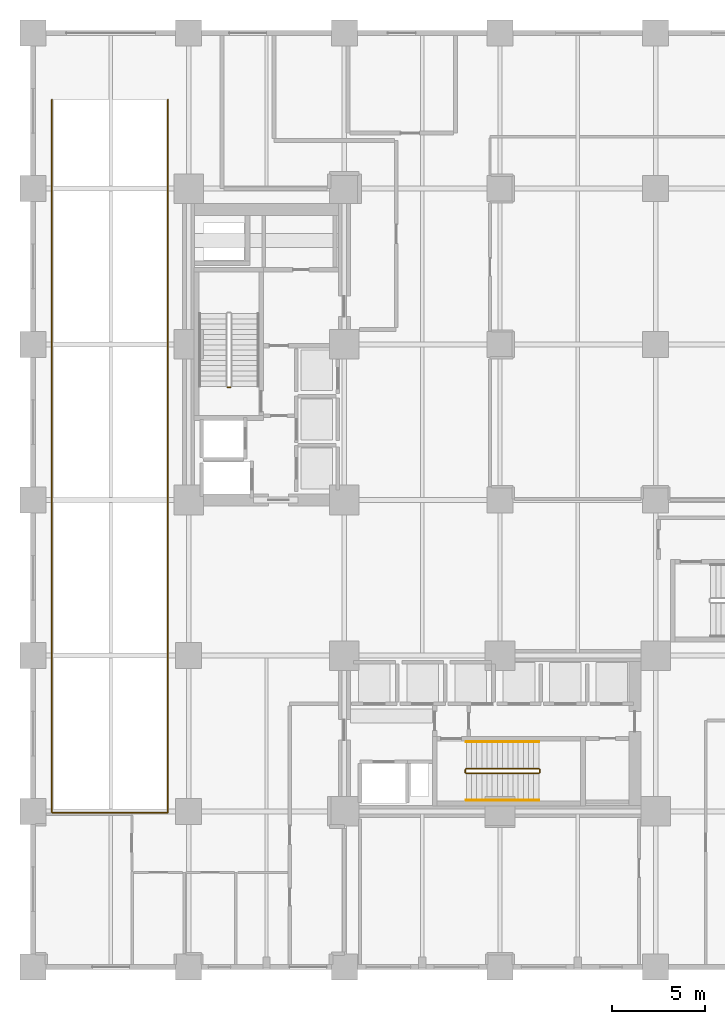
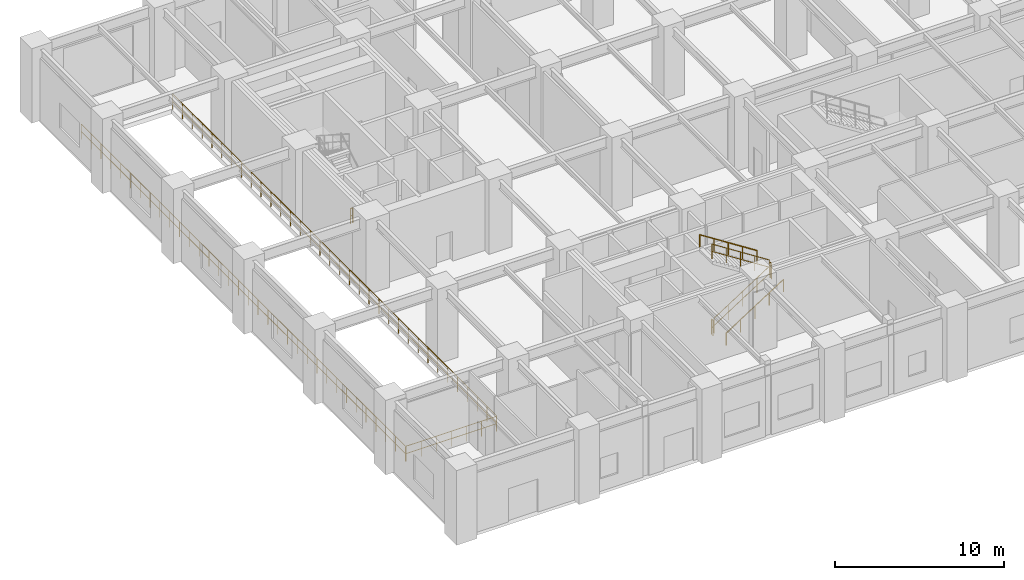
# One storey, part 9 of 13: 10 railings.
"""IFC4 building model written with IfcOpenShell, lengths in metres."""

from ifc_helpers import new_model, si_unit, direction, frame, origin, origin_2d, place, context, subcontext, project, spatial, circle, extrude, material, type_object, element, save


model = new_model("IFC4")

# Units and contexts
model_context = context("Model", 3, precision=1e-05, world=origin(), true_north=direction((0.0, 1.0)))
body_context = subcontext(model_context, "Body", "Model", "MODEL_VIEW")
ifc_project = project(units=[si_unit("LENGTHUNIT", "METRE"), si_unit("AREAUNIT", "SQUARE_METRE"), si_unit("VOLUMEUNIT", "CUBIC_METRE"), si_unit("PLANEANGLEUNIT", "RADIAN"), si_unit("MASSUNIT", "GRAM", prefix="KILO")], contexts=[model_context])

# Site, building, storey
site_placement = place(None, origin())
site = spatial("IfcSite", under=ifc_project, at=site_placement, CompositionType="ELEMENT")
building_placement = place(site_placement, origin())
building = spatial("IfcBuilding", under=site, at=building_placement, Name="Nerrivon Quay Data Exchange", CompositionType="ELEMENT")
storey_placement = place(building_placement, origin())
storey = spatial("IfcBuildingStorey", under=building, at=storey_placement, Name="L00", CompositionType="ELEMENT", Elevation=0.0)

# Railings
ifc_material = material(Name="Steel Grade C350L0 (350 MPa)", Category="steel")
railing_type_1 = type_object("IfcRailingType", Name="RAIL-GUARD-GR2", PredefinedType="BALUSTRADE", material=ifc_material)
railing_1_placement = place(storey_placement, frame((1.02001953125, 46.800048828125, 0.0)))
element("IfcRailing", 1, at=railing_1_placement, inside=storey, type_object=railing_type_1, Name="L00 Ramp Well Perimeter Guard 1", PredefinedType="BALUSTRADE", context=body_context, shape_type="SweptSolid", body=[
    extrude(circle(Radius=0.02392578125, at=origin_2d()), frame((0.0, 0.0, 1.09619140625), z_axis=(0.0, -1.0, 0.0), x_axis=(1.0, 0.0, 0.0)), (0.0, 0.0, 1.0), 38.449951171875),
    extrude(circle(Radius=0.02392578125, at=origin_2d()), frame((0.0, 0.0, 0.56005859375), z_axis=(0.0, -1.0, 0.0), x_axis=(1.0, 0.0, 0.0)), (0.0, 0.0, 1.0), 38.449951171875),
    extrude(circle(Radius=0.02099609375, at=origin_2d()), origin(), (0.0, 0.0, 1.0), 1.072021484375),
    extrude(circle(Radius=0.02099609375, at=origin_2d()), frame((0.0, -1.1650390625, 0.0)), (0.0, 0.0, 1.0), 1.072021484375),
    extrude(circle(Radius=0.02099609375, at=origin_2d()), frame((0.0, -2.330322265625, 0.0)), (0.0, 0.0, 1.0), 1.072021484375),
    extrude(circle(Radius=0.02099609375, at=origin_2d()), frame((0.0, -3.495361328125, 0.0)), (0.0, 0.0, 1.0), 1.072021484375),
    extrude(circle(Radius=0.02099609375, at=origin_2d()), frame((0.0, -4.66064453125, 0.0)), (0.0, 0.0, 1.0), 1.072021484375),
    extrude(circle(Radius=0.02099609375, at=origin_2d()), frame((0.0, -5.82568359375, 0.0)), (0.0, 0.0, 1.0), 1.072021484375),
    extrude(circle(Radius=0.02099609375, at=origin_2d()), frame((0.0, -6.990966796875, 0.0)), (0.0, 0.0, 1.0), 1.072021484375),
    extrude(circle(Radius=0.02099609375, at=origin_2d()), frame((0.0, -8.156005859375, 0.0)), (0.0, 0.0, 1.0), 1.072021484375),
    extrude(circle(Radius=0.02099609375, at=origin_2d()), frame((0.0, -9.3212890625, 0.0)), (0.0, 0.0, 1.0), 1.072021484375),
    extrude(circle(Radius=0.02099609375, at=origin_2d()), frame((0.0, -10.486328125, 0.0)), (0.0, 0.0, 1.0), 1.072021484375),
    extrude(circle(Radius=0.02099609375, at=origin_2d()), frame((0.0, -11.651611328125, 0.0)), (0.0, 0.0, 1.0), 1.072021484375),
    extrude(circle(Radius=0.02099609375, at=origin_2d()), frame((0.0, -12.816650390625, 0.0)), (0.0, 0.0, 1.0), 1.072021484375),
    extrude(circle(Radius=0.02099609375, at=origin_2d()), frame((0.0, -13.981689453125, 0.0)), (0.0, 0.0, 1.0), 1.072021484375),
    extrude(circle(Radius=0.02099609375, at=origin_2d()), frame((0.0, -15.14697265625, 0.0)), (0.0, 0.0, 1.0), 1.072021484375),
    extrude(circle(Radius=0.02099609375, at=origin_2d()), frame((0.0, -16.31201171875, 0.0)), (0.0, 0.0, 1.0), 1.072021484375),
    extrude(circle(Radius=0.02099609375, at=origin_2d()), frame((0.0, -17.477294921875, 0.0)), (0.0, 0.0, 1.0), 1.072021484375),
    extrude(circle(Radius=0.02099609375, at=origin_2d()), frame((0.0, -18.642333984375, 0.0)), (0.0, 0.0, 1.0), 1.072021484375),
    extrude(circle(Radius=0.02099609375, at=origin_2d()), frame((0.0, -19.8076171875, 0.0)), (0.0, 0.0, 1.0), 1.072021484375),
    extrude(circle(Radius=0.02099609375, at=origin_2d()), frame((0.0, -20.97265625, 0.0)), (0.0, 0.0, 1.0), 1.072021484375),
    extrude(circle(Radius=0.02099609375, at=origin_2d()), frame((0.0, -22.137939453125, 0.0)), (0.0, 0.0, 1.0), 1.072021484375),
    extrude(circle(Radius=0.02099609375, at=origin_2d()), frame((0.0, -23.302978515625, 0.0)), (0.0, 0.0, 1.0), 1.072021484375),
    extrude(circle(Radius=0.02099609375, at=origin_2d()), frame((0.0, -24.46826171875, 0.0)), (0.0, 0.0, 1.0), 1.072021484375),
    extrude(circle(Radius=0.02099609375, at=origin_2d()), frame((0.0, -25.63330078125, 0.0)), (0.0, 0.0, 1.0), 1.072021484375),
    extrude(circle(Radius=0.02099609375, at=origin_2d()), frame((0.0, -26.79833984375, 0.0)), (0.0, 0.0, 1.0), 1.072021484375),
    extrude(circle(Radius=0.02099609375, at=origin_2d()), frame((0.0, -27.963623046875, 0.0)), (0.0, 0.0, 1.0), 1.072021484375),
    extrude(circle(Radius=0.02099609375, at=origin_2d()), frame((0.0, -29.128662109375, 0.0)), (0.0, 0.0, 1.0), 1.072021484375),
    extrude(circle(Radius=0.02099609375, at=origin_2d()), frame((0.0, -30.2939453125, 0.0)), (0.0, 0.0, 1.0), 1.072021484375),
    extrude(circle(Radius=0.02099609375, at=origin_2d()), frame((0.0, -31.458984375, 0.0)), (0.0, 0.0, 1.0), 1.072021484375),
    extrude(circle(Radius=0.02099609375, at=origin_2d()), frame((0.0, -32.624267578125, 0.0)), (0.0, 0.0, 1.0), 1.072021484375),
    extrude(circle(Radius=0.02099609375, at=origin_2d()), frame((0.0, -33.789306640625, 0.0)), (0.0, 0.0, 1.0), 1.072021484375),
    extrude(circle(Radius=0.02099609375, at=origin_2d()), frame((0.0, -34.95458984375, 0.0)), (0.0, 0.0, 1.0), 1.072021484375),
    extrude(circle(Radius=0.02099609375, at=origin_2d()), frame((0.0, -36.11962890625, 0.0)), (0.0, 0.0, 1.0), 1.072021484375),
    extrude(circle(Radius=0.02099609375, at=origin_2d()), frame((0.0, -37.284912109375, 0.0)), (0.0, 0.0, 1.0), 1.072021484375),
    extrude(circle(Radius=0.02099609375, at=origin_2d()), frame((0.0, -38.449951171875, 0.0)), (0.0, 0.0, 1.0), 1.072021484375),
])
railing_2_placement = place(storey_placement, frame((1.050048828125, 8.320068359375, 0.0)))
element("IfcRailing", 2, at=railing_2_placement, inside=storey, type_object=railing_type_1, Name="L00 Ramp Well Perimeter Guard 2", PredefinedType="BALUSTRADE", context=body_context, shape_type="SweptSolid", body=[
    extrude(circle(Radius=0.02392578125, at=origin_2d()), frame((0.0, 0.0, 1.09619140625), z_axis=(1.0, 0.0, 0.0), x_axis=(0.0, 1.0, 0.0)), (0.0, 0.0, 1.0), 6.199951171875),
    extrude(circle(Radius=0.02392578125, at=origin_2d()), frame((0.0, 0.0, 0.56005859375), z_axis=(1.0, 0.0, 0.0), x_axis=(0.0, 1.0, 0.0)), (0.0, 0.0, 1.0), 6.199951171875),
    extrude(circle(Radius=0.02099609375, at=origin_2d()), origin(), (0.0, 0.0, 1.0), 1.072021484375),
    extrude(circle(Radius=0.02099609375, at=origin_2d()), frame((1.033203125, 0.0, 0.0)), (0.0, 0.0, 1.0), 1.072021484375),
    extrude(circle(Radius=0.02099609375, at=origin_2d()), frame((2.066650390625, 0.0, 0.0)), (0.0, 0.0, 1.0), 1.072021484375),
    extrude(circle(Radius=0.02099609375, at=origin_2d()), frame((3.10009765625, 0.0, 0.0)), (0.0, 0.0, 1.0), 1.072021484375),
    extrude(circle(Radius=0.02099609375, at=origin_2d()), frame((4.13330078125, 0.0, 0.0)), (0.0, 0.0, 1.0), 1.072021484375),
    extrude(circle(Radius=0.02099609375, at=origin_2d()), frame((5.16650390625, 0.0, 0.0)), (0.0, 0.0, 1.0), 1.072021484375),
    extrude(circle(Radius=0.02099609375, at=origin_2d()), frame((6.199951171875, 0.0, 0.0)), (0.0, 0.0, 1.0), 1.072021484375),
])
railing_3_placement = place(storey_placement, frame((7.280029296875, 8.35009765625, 0.0)))
element("IfcRailing", 3, at=railing_3_placement, inside=storey, type_object=railing_type_1, Name="L00 Ramp Well Perimeter Guard 3", PredefinedType="BALUSTRADE", context=body_context, shape_type="SweptSolid", body=[
    extrude(circle(Radius=0.02392578125, at=origin_2d()), frame((0.0, 0.0, 1.09619140625), z_axis=(0.0, 1.0, 0.0), x_axis=(-1.0, 0.0, 0.0)), (0.0, 0.0, 1.0), 38.449951171875),
    extrude(circle(Radius=0.02392578125, at=origin_2d()), frame((0.0, 0.0, 0.56005859375), z_axis=(0.0, 1.0, 0.0), x_axis=(-1.0, 0.0, 0.0)), (0.0, 0.0, 1.0), 38.449951171875),
    extrude(circle(Radius=0.02099609375, at=origin_2d()), origin(), (0.0, 0.0, 1.0), 1.072021484375),
    extrude(circle(Radius=0.02099609375, at=origin_2d()), frame((0.0, 1.1650390625, 0.0)), (0.0, 0.0, 1.0), 1.072021484375),
    extrude(circle(Radius=0.02099609375, at=origin_2d()), frame((0.0, 2.330322265625, 0.0)), (0.0, 0.0, 1.0), 1.072021484375),
    extrude(circle(Radius=0.02099609375, at=origin_2d()), frame((0.0, 3.495361328125, 0.0)), (0.0, 0.0, 1.0), 1.072021484375),
    extrude(circle(Radius=0.02099609375, at=origin_2d()), frame((0.0, 4.66064453125, 0.0)), (0.0, 0.0, 1.0), 1.072021484375),
    extrude(circle(Radius=0.02099609375, at=origin_2d()), frame((0.0, 5.82568359375, 0.0)), (0.0, 0.0, 1.0), 1.072021484375),
    extrude(circle(Radius=0.02099609375, at=origin_2d()), frame((0.0, 6.990966796875, 0.0)), (0.0, 0.0, 1.0), 1.072021484375),
    extrude(circle(Radius=0.02099609375, at=origin_2d()), frame((0.0, 8.156005859375, 0.0)), (0.0, 0.0, 1.0), 1.072021484375),
    extrude(circle(Radius=0.02099609375, at=origin_2d()), frame((0.0, 9.3212890625, 0.0)), (0.0, 0.0, 1.0), 1.072021484375),
    extrude(circle(Radius=0.02099609375, at=origin_2d()), frame((0.0, 10.486328125, 0.0)), (0.0, 0.0, 1.0), 1.072021484375),
    extrude(circle(Radius=0.02099609375, at=origin_2d()), frame((0.0, 11.651611328125, 0.0)), (0.0, 0.0, 1.0), 1.072021484375),
    extrude(circle(Radius=0.02099609375, at=origin_2d()), frame((0.0, 12.816650390625, 0.0)), (0.0, 0.0, 1.0), 1.072021484375),
    extrude(circle(Radius=0.02099609375, at=origin_2d()), frame((0.0, 13.981689453125, 0.0)), (0.0, 0.0, 1.0), 1.072021484375),
    extrude(circle(Radius=0.02099609375, at=origin_2d()), frame((0.0, 15.14697265625, 0.0)), (0.0, 0.0, 1.0), 1.072021484375),
    extrude(circle(Radius=0.02099609375, at=origin_2d()), frame((0.0, 16.31201171875, 0.0)), (0.0, 0.0, 1.0), 1.072021484375),
    extrude(circle(Radius=0.02099609375, at=origin_2d()), frame((0.0, 17.477294921875, 0.0)), (0.0, 0.0, 1.0), 1.072021484375),
    extrude(circle(Radius=0.02099609375, at=origin_2d()), frame((0.0, 18.642333984375, 0.0)), (0.0, 0.0, 1.0), 1.072021484375),
    extrude(circle(Radius=0.02099609375, at=origin_2d()), frame((0.0, 19.8076171875, 0.0)), (0.0, 0.0, 1.0), 1.072021484375),
    extrude(circle(Radius=0.02099609375, at=origin_2d()), frame((0.0, 20.97265625, 0.0)), (0.0, 0.0, 1.0), 1.072021484375),
    extrude(circle(Radius=0.02099609375, at=origin_2d()), frame((0.0, 22.137939453125, 0.0)), (0.0, 0.0, 1.0), 1.072021484375),
    extrude(circle(Radius=0.02099609375, at=origin_2d()), frame((0.0, 23.302978515625, 0.0)), (0.0, 0.0, 1.0), 1.072021484375),
    extrude(circle(Radius=0.02099609375, at=origin_2d()), frame((0.0, 24.46826171875, 0.0)), (0.0, 0.0, 1.0), 1.072021484375),
    extrude(circle(Radius=0.02099609375, at=origin_2d()), frame((0.0, 25.63330078125, 0.0)), (0.0, 0.0, 1.0), 1.072021484375),
    extrude(circle(Radius=0.02099609375, at=origin_2d()), frame((0.0, 26.79833984375, 0.0)), (0.0, 0.0, 1.0), 1.072021484375),
    extrude(circle(Radius=0.02099609375, at=origin_2d()), frame((0.0, 27.963623046875, 0.0)), (0.0, 0.0, 1.0), 1.072021484375),
    extrude(circle(Radius=0.02099609375, at=origin_2d()), frame((0.0, 29.128662109375, 0.0)), (0.0, 0.0, 1.0), 1.072021484375),
    extrude(circle(Radius=0.02099609375, at=origin_2d()), frame((0.0, 30.2939453125, 0.0)), (0.0, 0.0, 1.0), 1.072021484375),
    extrude(circle(Radius=0.02099609375, at=origin_2d()), frame((0.0, 31.458984375, 0.0)), (0.0, 0.0, 1.0), 1.072021484375),
    extrude(circle(Radius=0.02099609375, at=origin_2d()), frame((0.0, 32.624267578125, 0.0)), (0.0, 0.0, 1.0), 1.072021484375),
    extrude(circle(Radius=0.02099609375, at=origin_2d()), frame((0.0, 33.789306640625, 0.0)), (0.0, 0.0, 1.0), 1.072021484375),
    extrude(circle(Radius=0.02099609375, at=origin_2d()), frame((0.0, 34.95458984375, 0.0)), (0.0, 0.0, 1.0), 1.072021484375),
    extrude(circle(Radius=0.02099609375, at=origin_2d()), frame((0.0, 36.11962890625, 0.0)), (0.0, 0.0, 1.0), 1.072021484375),
    extrude(circle(Radius=0.02099609375, at=origin_2d()), frame((0.0, 37.284912109375, 0.0)), (0.0, 0.0, 1.0), 1.072021484375),
    extrude(circle(Radius=0.02099609375, at=origin_2d()), frame((0.0, 38.449951171875, 0.0)), (0.0, 0.0, 1.0), 1.072021484375),
])
railing_type_2 = type_object("IfcRailingType", Name="RAIL-HAND-HR1", PredefinedType="HANDRAIL", material=ifc_material)
railing_4_placement = place(storey_placement, frame((23.3798828125, 9.0, 0.179931640625)))
element("IfcRailing", 4, at=railing_4_placement, inside=storey, type_object=railing_type_2, Name="L00 ST02 stair handrail 1", PredefinedType="HANDRAIL", context=body_context, shape_type="SweptSolid", body=[
    extrude(circle(Radius=0.02392578125, at=origin_2d()), frame((0.0, 0.0, 0.8759765625), z_axis=(0.841186985886, 0.0, 0.540744352514), x_axis=(0.0, 1.0, 0.0)), (0.0, 0.0, 1.0), 4.660400390625),
    extrude(circle(Radius=0.02099609375, at=origin_2d()), origin(), (0.0, 0.0, 1.0), 0.851806640625),
    extrude(circle(Radius=0.02099609375, at=origin_2d()), frame((0.97998046875, 0.0, 0.6298828125)), (0.0, 0.0, 1.0), 0.851806640625),
    extrude(circle(Radius=0.02099609375, at=origin_2d()), frame((1.9599609375, 0.0, 1.260009765625)), (0.0, 0.0, 1.0), 0.851806640625),
    extrude(circle(Radius=0.02099609375, at=origin_2d()), frame((2.940185546875, 0.0, 1.89013671875)), (0.0, 0.0, 1.0), 0.851806640625),
    extrude(circle(Radius=0.02099609375, at=origin_2d()), frame((3.920166015625, 0.0, 2.52001953125)), (0.0, 0.0, 1.0), 0.851806640625),
])
railing_5_placement = place(storey_placement, frame((27.300048828125, 12.14990234375, 2.8798828125)))
element("IfcRailing", 5, at=railing_5_placement, inside=storey, type_object=railing_type_2, Name="L00 ST02 stair handrail 2", PredefinedType="HANDRAIL", context=body_context, shape_type="SweptSolid", body=[
    extrude(circle(Radius=0.02392578125, at=origin_2d()), frame((0.0, 0.0, 0.8759765625), z_axis=(-0.841186985886, 0.0, 0.540744352514), x_axis=(0.0, -1.0, 0.0)), (0.0, 0.0, 1.0), 4.660400390625),
    extrude(circle(Radius=0.02099609375, at=origin_2d()), origin(), (0.0, 0.0, 1.0), 0.851806640625),
    extrude(circle(Radius=0.02099609375, at=origin_2d()), frame((-0.97998046875, 0.0, 0.6298828125)), (0.0, 0.0, 1.0), 0.851806640625),
    extrude(circle(Radius=0.02099609375, at=origin_2d()), frame((-1.9599609375, 0.0, 1.260009765625)), (0.0, 0.0, 1.0), 0.851806640625),
    extrude(circle(Radius=0.02099609375, at=origin_2d()), frame((-2.940185546875, 0.0, 1.89013671875)), (0.0, 0.0, 1.0), 0.851806640625),
    extrude(circle(Radius=0.02099609375, at=origin_2d()), frame((-3.920166015625, 0.0, 2.52001953125)), (0.0, 0.0, 1.0), 0.851806640625),
])
railing_type_3 = type_object("IfcRailingType", Name="RAIL-STAIR-GR1", PredefinedType="BALUSTRADE", material=ifc_material)
railing_6_placement = place(storey_placement, frame((10.64990234375, 31.280029296875, 0.0)))
element("IfcRailing", 6, at=railing_6_placement, inside=storey, type_object=railing_type_3, Name="L00 ST01 stair guard 4", PredefinedType="BALUSTRADE", context=body_context, shape_type="SweptSolid", body=[
    extrude(circle(Radius=0.02392578125, at=origin_2d()), frame((0.0, 0.0, 1.076171875), z_axis=(-1.0, 0.0, 0.0), x_axis=(0.0, -1.0, 0.0)), (0.0, 0.0, 1.0), 0.14990234375),
    extrude(circle(Radius=0.02392578125, at=origin_2d()), frame((0.0, 0.0, 0.550048828125), z_axis=(-1.0, 0.0, 0.0), x_axis=(0.0, -1.0, 0.0)), (0.0, 0.0, 1.0), 0.14990234375),
    extrude(circle(Radius=0.02099609375, at=origin_2d()), origin(), (0.0, 0.0, 1.0), 1.052001953125),
    extrude(circle(Radius=0.02099609375, at=origin_2d()), frame((-0.14990234375, 0.0, 0.0)), (0.0, 0.0, 1.0), 1.052001953125),
])
railing_7_placement = place(storey_placement, frame((23.3798828125, 10.449951171875, 0.179931640625)))
element("IfcRailing", 7, at=railing_7_placement, inside=storey, type_object=railing_type_3, Name="L00 ST02 stair guard 1", PredefinedType="BALUSTRADE", context=body_context, shape_type="SweptSolid", body=[
    extrude(circle(Radius=0.02392578125, at=origin_2d()), frame((0.0, 0.0, 1.076171875), z_axis=(0.841186985886, 0.0, 0.540744352514), x_axis=(0.0, 1.0, 0.0)), (0.0, 0.0, 1.0), 4.660400390625),
    extrude(circle(Radius=0.02392578125, at=origin_2d()), frame((0.0, 0.0, 0.550048828125), z_axis=(0.841186985886, 0.0, 0.540744352514), x_axis=(0.0, 1.0, 0.0)), (0.0, 0.0, 1.0), 4.660400390625),
    extrude(circle(Radius=0.02099609375, at=origin_2d()), origin(), (0.0, 0.0, 1.0), 1.052001953125),
    extrude(circle(Radius=0.02099609375, at=origin_2d()), frame((0.97998046875, 0.0, 0.6298828125)), (0.0, 0.0, 1.0), 1.052001953125),
    extrude(circle(Radius=0.02099609375, at=origin_2d()), frame((1.9599609375, 0.0, 1.260009765625)), (0.0, 0.0, 1.0), 1.052001953125),
    extrude(circle(Radius=0.02099609375, at=origin_2d()), frame((2.940185546875, 0.0, 1.89013671875)), (0.0, 0.0, 1.0), 1.052001953125),
    extrude(circle(Radius=0.02099609375, at=origin_2d()), frame((3.920166015625, 0.0, 2.52001953125)), (0.0, 0.0, 1.0), 1.052001953125),
])
railing_8_placement = place(storey_placement, frame((27.35009765625, 10.5, 2.699951171875)))
element("IfcRailing", 8, at=railing_8_placement, inside=storey, type_object=railing_type_3, Name="L00 ST02 stair guard 2", PredefinedType="BALUSTRADE", context=body_context, shape_type="SweptSolid", body=[
    extrude(circle(Radius=0.02392578125, at=origin_2d()), frame((0.0, 0.0, 1.076171875), z_axis=(0.0, 1.0, 0.0), x_axis=(-1.0, 0.0, 0.0)), (0.0, 0.0, 1.0), 0.14990234375),
    extrude(circle(Radius=0.02392578125, at=origin_2d()), frame((0.0, 0.0, 0.550048828125), z_axis=(0.0, 1.0, 0.0), x_axis=(-1.0, 0.0, 0.0)), (0.0, 0.0, 1.0), 0.14990234375),
    extrude(circle(Radius=0.02099609375, at=origin_2d()), origin(), (0.0, 0.0, 1.0), 1.052001953125),
    extrude(circle(Radius=0.02099609375, at=origin_2d()), frame((0.0, 0.14990234375, 0.0)), (0.0, 0.0, 1.0), 1.052001953125),
])
railing_9_placement = place(storey_placement, frame((27.300048828125, 10.699951171875, 2.8798828125)))
element("IfcRailing", 9, at=railing_9_placement, inside=storey, type_object=railing_type_3, Name="L00 ST02 stair guard 3", PredefinedType="BALUSTRADE", context=body_context, shape_type="SweptSolid", body=[
    extrude(circle(Radius=0.02392578125, at=origin_2d()), frame((0.0, 0.0, 1.076171875), z_axis=(-0.841186985886, 0.0, 0.540744352514), x_axis=(0.0, -1.0, 0.0)), (0.0, 0.0, 1.0), 4.660400390625),
    extrude(circle(Radius=0.02392578125, at=origin_2d()), frame((0.0, 0.0, 0.550048828125), z_axis=(-0.841186985886, 0.0, 0.540744352514), x_axis=(0.0, -1.0, 0.0)), (0.0, 0.0, 1.0), 4.660400390625),
    extrude(circle(Radius=0.02099609375, at=origin_2d()), origin(), (0.0, 0.0, 1.0), 1.052001953125),
    extrude(circle(Radius=0.02099609375, at=origin_2d()), frame((-0.97998046875, 0.0, 0.6298828125)), (0.0, 0.0, 1.0), 1.052001953125),
    extrude(circle(Radius=0.02099609375, at=origin_2d()), frame((-1.9599609375, 0.0, 1.260009765625)), (0.0, 0.0, 1.0), 1.052001953125),
    extrude(circle(Radius=0.02099609375, at=origin_2d()), frame((-2.940185546875, 0.0, 1.89013671875)), (0.0, 0.0, 1.0), 1.052001953125),
    extrude(circle(Radius=0.02099609375, at=origin_2d()), frame((-3.920166015625, 0.0, 2.52001953125)), (0.0, 0.0, 1.0), 1.052001953125),
])
railing_10_placement = place(storey_placement, frame((23.330078125, 10.5, 0.0)))
element("IfcRailing", 10, at=railing_10_placement, inside=storey, type_object=railing_type_3, Name="L00 ST02 stair guard 4", PredefinedType="BALUSTRADE", context=body_context, shape_type="SweptSolid", body=[
    extrude(circle(Radius=0.02392578125, at=origin_2d()), frame((0.0, 0.0, 1.076171875), z_axis=(0.0, 1.0, 0.0), x_axis=(-1.0, 0.0, 0.0)), (0.0, 0.0, 1.0), 0.14990234375),
    extrude(circle(Radius=0.02392578125, at=origin_2d()), frame((0.0, 0.0, 0.550048828125), z_axis=(0.0, 1.0, 0.0), x_axis=(-1.0, 0.0, 0.0)), (0.0, 0.0, 1.0), 0.14990234375),
    extrude(circle(Radius=0.02099609375, at=origin_2d()), origin(), (0.0, 0.0, 1.0), 1.052001953125),
    extrude(circle(Radius=0.02099609375, at=origin_2d()), frame((0.0, 0.14990234375, 0.0)), (0.0, 0.0, 1.0), 1.052001953125),
])

save(model, "model.ifc")
